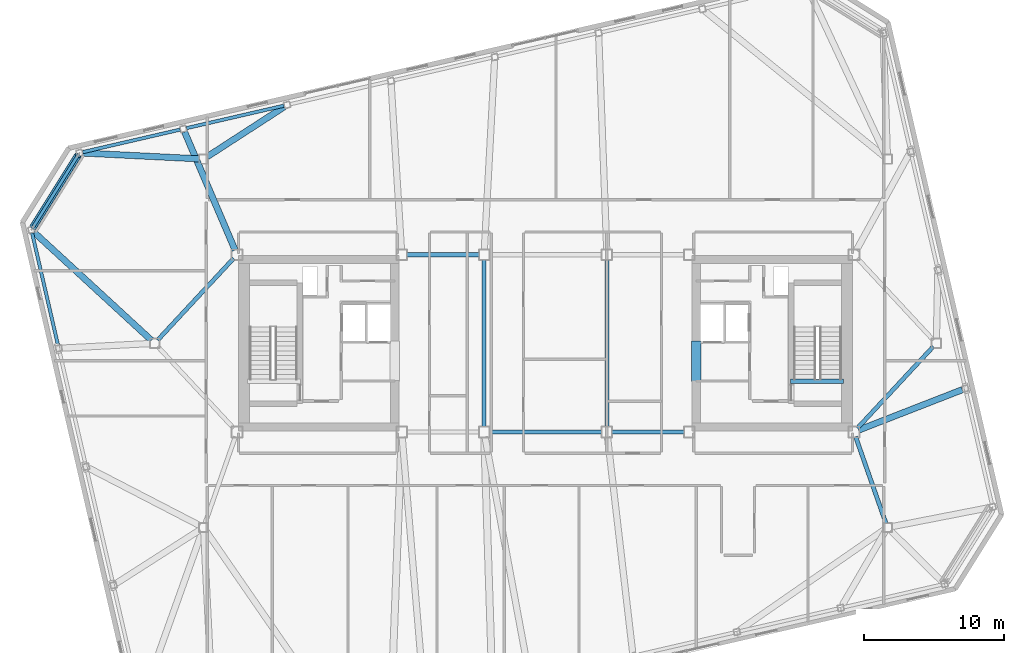
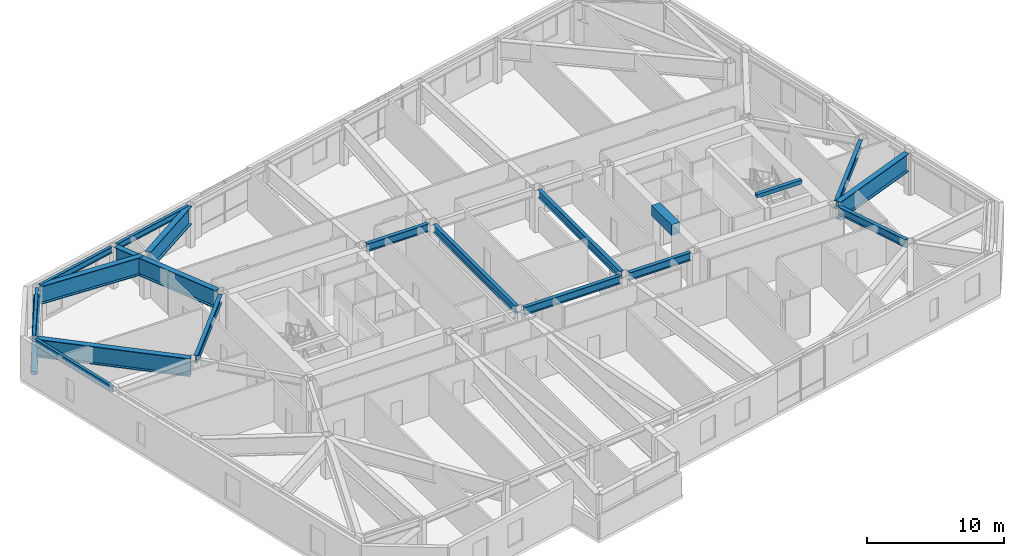
# One storey, part 9 of 21: 19 beams, 1 member.
"""IFC4 building model written with IfcOpenShell, lengths in metres."""

from ifc_helpers import new_model, si_unit, direction, frame, origin, origin_2d, place, context, subcontext, project, spatial, rectangle, hollow_circle, i_section, extrude, material, material_profile, profile_set, type_object, element, save


model = new_model("IFC4")

# Units and contexts
model_context = context("Model", 3, precision=1e-05, world=origin(), true_north=direction((0.0, 1.0)))
body_context = subcontext(model_context, "Body", "Model", "MODEL_VIEW")
ifc_project = project(units=[si_unit("LENGTHUNIT", "METRE"), si_unit("AREAUNIT", "SQUARE_METRE"), si_unit("VOLUMEUNIT", "CUBIC_METRE"), si_unit("PLANEANGLEUNIT", "RADIAN"), si_unit("MASSUNIT", "GRAM", prefix="KILO")], contexts=[model_context])

# Site, building, storey
site_placement = place(None, origin())
site = spatial("IfcSite", under=ifc_project, at=site_placement, CompositionType="ELEMENT")
building_placement = place(site_placement, origin())
building = spatial("IfcBuilding", under=site, at=building_placement, Name="Tavrogorsk Clinical Tower", CompositionType="ELEMENT")
storey_placement = place(building_placement, frame((0.0, 0.0, 281.0)))
storey = spatial("IfcBuildingStorey", under=building, at=storey_placement, Name="L65", CompositionType="ELEMENT", Elevation=281.0)

# Beam
ifc_material_1 = material(Name="Concrete B80", Category="concrete")
ifc_material_profile_1 = material_profile(ifc_material_1, rectangle(XDim=0.699951171875, YDim=0.949951171875, at=origin_2d()), Name="RC-CB-700x950")
ifc_profile_set_1 = profile_set([ifc_material_profile_1], Name="Concrete B80")
beam_type_1 = type_object("IfcBeamType", Name="CouplingBeam_RC700x950", PredefinedType="LINTEL", material=ifc_profile_set_1)
beam_1_placement = place(storey_placement, frame((10.800048828125, -2.75, 3.264892578125), z_axis=(0.0, 1.0, 0.0), x_axis=(-1.0, 0.0, 0.0)))
element("IfcBeam", 1, at=beam_1_placement, inside=storey, type_object=beam_type_1, Name="L65 Core East Coupling Beam", PredefinedType="LINTEL", context=body_context, shape_type="SweptSolid", body=[
    extrude(rectangle(XDim=0.699951171875, YDim=0.949951171875, at=origin_2d()), origin(), (0.0, 0.0, 1.0), 2.89990234375),
])

# Member
ifc_material_2 = material(Name="Structural steel S440", Category="steel")
ifc_material_profile_2 = material_profile(ifc_material_2, hollow_circle(Radius=0.25390625, WallThickness=0.02001953125, at=origin_2d()), Name="CHS-508x20")
ifc_profile_set_2 = profile_set([ifc_material_profile_2], Name="Structural steel S440")
member_type = type_object("IfcMemberType", Name="ExoBrace_CHS508", PredefinedType="BRACE", material=ifc_profile_set_2)
member_placement = place(storey_placement, frame((-36.72265625, 8.30908203125, 0.393310546875), z_axis=(0.485643868835, 0.777221605895, 0.400095748531), x_axis=(-0.848056967697, 0.529905066536, 0.0)))
element("IfcMember", 2, at=member_placement, inside=storey, type_object=member_type, Name="L65 Corner Exoskeleton Brace N8-W1", PredefinedType="BRACE", context=body_context, shape_type="SweptSolid", body=[
    extrude(hollow_circle(Radius=0.25390625, WallThickness=0.02001953125, at=origin_2d()), origin(), (0.0, 0.0, 1.0), 6.63232421875),
])

# Beams
ifc_material_3 = material(Name="Structural steel S390", Category="steel")
ifc_material_profile_3 = material_profile(ifc_material_3, i_section(OverallWidth=0.300048828125, OverallDepth=0.699951171875, WebThickness=0.01708984375, FlangeThickness=0.028076171875, at=origin_2d()), Name="B-700x300x17x28")
ifc_profile_set_3 = profile_set([ifc_material_profile_3], Name="Structural steel S390")
beam_type_2 = type_object("IfcBeamType", Name="PrimaryGirder_B700", PredefinedType="USERDEFINED", material=ifc_profile_set_3)
beam_2_placement = place(storey_placement, frame((-9.93994140625, 6.35009765625, 3.389892578125), z_axis=(1.0, 0.0, 0.0), x_axis=(0.0, 1.0, 0.0)))
element("IfcBeam", 3, at=beam_2_placement, inside=storey, type_object=beam_type_2, Name="L65 Primary Spine Girder MG-02", ObjectType="GIRDER", PredefinedType="USERDEFINED", context=body_context, shape_type="SweptSolid", body=[
    extrude(i_section(OverallWidth=0.300048828125, OverallDepth=0.699951171875, WebThickness=0.01708984375, FlangeThickness=0.028076171875, at=origin_2d()), origin(), (0.0, 0.0, 1.0), 5.179931640625),
])
beam_3_placement = place(storey_placement, frame((-4.0400390625, -6.35009765625, 3.389892578125), z_axis=(1.0, 0.0, 0.0), x_axis=(0.0, 1.0, 0.0)))
element("IfcBeam", 4, at=beam_3_placement, inside=storey, type_object=beam_type_2, Name="L65 Primary Spine Girder MG-03", ObjectType="GIRDER", PredefinedType="USERDEFINED", context=body_context, shape_type="SweptSolid", body=[
    extrude(i_section(OverallWidth=0.300048828125, OverallDepth=0.699951171875, WebThickness=0.01708984375, FlangeThickness=0.028076171875, at=origin_2d()), origin(), (0.0, 0.0, 1.0), 8.080078125),
])
beam_4_placement = place(storey_placement, frame((4.760009765625, -6.35009765625, 3.389892578125), z_axis=(1.0, 0.0, 0.0), x_axis=(0.0, 1.0, 0.0)))
element("IfcBeam", 5, at=beam_4_placement, inside=storey, type_object=beam_type_2, Name="L65 Primary Spine Girder MG-05", ObjectType="GIRDER", PredefinedType="USERDEFINED", context=body_context, shape_type="SweptSolid", body=[
    extrude(i_section(OverallWidth=0.300048828125, OverallDepth=0.699951171875, WebThickness=0.01708984375, FlangeThickness=0.028076171875, at=origin_2d()), origin(), (0.0, 0.0, 1.0), 5.179931640625),
])
for number, where, z_axis, x_axis, name in (
    (6, (-4.39990234375, -5.989990234375, 3.389892578125), (0.0, 1.0, 0.0), (-1.0, 0.0, 0.0), "L65 Primary Spine Girder MG-07"),
    (7, (4.39990234375, -5.989990234375, 3.389892578125), (0.0, 1.0, 0.0), (-1.0, 0.0, 0.0), "L65 Primary Spine Girder MG-08"),
):
    element("IfcBeam", number, at=place(storey_placement, frame(where, z_axis=z_axis, x_axis=x_axis)), inside=storey, type_object=beam_type_2, Name=name, ObjectType="GIRDER", PredefinedType="USERDEFINED", context=body_context, shape_type="SweptSolid", body=[
        extrude(i_section(OverallWidth=0.300048828125, OverallDepth=0.699951171875, WebThickness=0.01708984375, FlangeThickness=0.028076171875, at=origin_2d()), origin(), (0.0, 0.0, 1.0), 11.97998046875),
    ])
beam_5_placement = place(storey_placement, frame((24.3974609375, -12.907470703125, 3.389892578125), z_axis=(-0.330654121425, 0.943752007672, 0.0), x_axis=(-0.943752007672, -0.330654121425, 0.0)))
element("IfcBeam", 8, at=beam_5_placement, inside=storey, type_object=beam_type_2, Name="L65 Spine Link Girder OPG-2", ObjectType="GIRDER", PredefinedType="USERDEFINED", context=body_context, shape_type="SweptSolid", body=[
    extrude(i_section(OverallWidth=0.300048828125, OverallDepth=0.699951171875, WebThickness=0.01708984375, FlangeThickness=0.028076171875, at=origin_2d()), origin(), (0.0, 0.0, 1.0), 6.58837890625),
])
for number, where, z_axis, x_axis, name in (
    (9, (-27.7890625, 0.22705078125, 3.389892578125), (0.680684060959, 0.732577101168, 0.0), (-0.732577101168, 0.680684060959, 0.0), "L65 Spine Link Girder OPG-6"),
    (10, (27.7890625, -0.22705078125, 3.389892578125), (-0.680684060959, -0.732577101168, 0.0), (0.732577101168, -0.680684060959, 0.0), "L65 Spine Link Girder OPG-7"),
):
    element("IfcBeam", number, at=place(storey_placement, frame(where, z_axis=z_axis, x_axis=x_axis)), inside=storey, type_object=beam_type_2, Name=name, ObjectType="GIRDER", PredefinedType="USERDEFINED", context=body_context, shape_type="SweptSolid", body=[
        extrude(i_section(OverallWidth=0.300048828125, OverallDepth=0.699951171875, WebThickness=0.01708984375, FlangeThickness=0.028076171875, at=origin_2d()), origin(), (0.0, 0.0, 1.0), 7.998046875),
    ])
ifc_material_4 = material(Name="Structural steel S390", Category="steel")
ifc_material_profile_4 = material_profile(ifc_material_4, i_section(OverallWidth=0.239990234375, OverallDepth=0.550048828125, WebThickness=0.013916015625, FlangeThickness=0.02197265625, at=origin_2d()), Name="B-550x240x14x22")
ifc_profile_set_4 = profile_set([ifc_material_profile_4], Name="Structural steel S390")
beam_type_3 = type_object("IfcBeamType", Name="SpandrelBeam_B550", PredefinedType="SPANDREL", material=ifc_profile_set_4)
beam_6_placement = place(storey_placement, frame((-18.73828125, 17.027099609375, 3.465087890625), z_axis=(-0.97437684326, -0.224921691527, 0.0), x_axis=(0.224921691527, -0.97437684326, 0.0)))
element("IfcBeam", 11, at=beam_6_placement, inside=storey, type_object=beam_type_3, Name="L65 Perimeter Spandrel N6-N7", PredefinedType="SPANDREL", context=body_context, shape_type="SweptSolid", body=[
    extrude(i_section(OverallWidth=0.239990234375, OverallDepth=0.550048828125, WebThickness=0.013916015625, FlangeThickness=0.02197265625, at=origin_2d()), origin(), (0.0, 0.0, 1.0), 7.168212890625),
])
beam_7_placement = place(storey_placement, frame((-26.177001953125, 15.309814453125, 3.465087890625), z_axis=(-0.974369378592, -0.224954026551, 0.0), x_axis=(0.224954026551, -0.974369378592, 0.0)))
element("IfcBeam", 12, at=beam_7_placement, inside=storey, type_object=beam_type_3, Name="L65 Perimeter Spandrel N7-N8", PredefinedType="SPANDREL", context=body_context, shape_type="SweptSolid", body=[
    extrude(i_section(OverallWidth=0.239990234375, OverallDepth=0.550048828125, WebThickness=0.013916015625, FlangeThickness=0.02197265625, at=origin_2d()), origin(), (0.0, 0.0, 1.0), 7.16845703125),
])
beam_8_placement = place(storey_placement, frame((-33.511962890625, 13.447265625, 3.465087890625), z_axis=(-0.529933531413, -0.848039180866, 0.0), x_axis=(0.848039180866, -0.529933531413, 0.0)))
element("IfcBeam", 13, at=beam_8_placement, inside=storey, type_object=beam_type_3, Name="L65 Perimeter Spandrel N8-W1", PredefinedType="SPANDREL", context=body_context, shape_type="SweptSolid", body=[
    extrude(i_section(OverallWidth=0.239990234375, OverallDepth=0.550048828125, WebThickness=0.013916015625, FlangeThickness=0.02197265625, at=origin_2d()), origin(), (0.0, 0.0, 1.0), 6.039306640625),
])
beam_9_placement = place(storey_placement, frame((-36.783447265625, 7.901123046875, 3.465087890625), z_axis=(0.224950345141, -0.974370228517, 0.0), x_axis=(0.974370228517, 0.224950345141, 0.0)))
element("IfcBeam", 14, at=beam_9_placement, inside=storey, type_object=beam_type_3, Name="L65 Perimeter Spandrel W1-W2", PredefinedType="SPANDREL", context=body_context, shape_type="SweptSolid", body=[
    extrude(i_section(OverallWidth=0.239990234375, OverallDepth=0.550048828125, WebThickness=0.013916015625, FlangeThickness=0.02197265625, at=origin_2d()), origin(), (0.0, 0.0, 1.0), 8.243896484375),
])
ifc_material_5 = material(Name="Concrete B60", Category="concrete")
ifc_material_profile_5 = material_profile(ifc_material_5, rectangle(XDim=0.300048828125, YDim=0.35009765625, at=origin_2d()), Name="RC-SHB-300x350")
ifc_profile_set_5 = profile_set([ifc_material_profile_5], Name="Concrete B60")
beam_type_4 = type_object("IfcBeamType", Name="StairHeaderBeam_RC300x350", PredefinedType="BEAM", material=ifc_profile_set_5)
beam_10_placement = place(storey_placement, frame((17.550048828125, -2.719970703125, 3.824951171875), z_axis=(1.0, 0.0, 0.0), x_axis=(0.0, 1.0, 0.0)))
element("IfcBeam", 15, at=beam_10_placement, inside=storey, type_object=beam_type_4, Name="L66 ST-E Landing Header Beam", PredefinedType="BEAM", context=body_context, shape_type="SweptSolid", body=[
    extrude(rectangle(XDim=0.300048828125, YDim=0.35009765625, at=origin_2d()), origin(), (0.0, 0.0, 1.0), 3.800048828125),
])
ifc_material_6 = material(Name="Structural steel S440", Category="steel")
ifc_material_profile_6 = material_profile(ifc_material_6, i_section(OverallWidth=0.449951171875, OverallDepth=1.60009765625, WebThickness=0.031982421875, FlangeThickness=0.050048828125, at=origin_2d()), Name="DK-1600x450x32x50")
ifc_profile_set_6 = profile_set([ifc_material_profile_6], Name="Structural steel S440")
beam_type_5 = type_object("IfcBeamType", Name="TransferGirder_DK1600", PredefinedType="USERDEFINED", material=ifc_profile_set_6)
beam_11_placement = place(storey_placement, frame((-24.23974609375, 13.36865234375, 2.93994140625), z_axis=(0.839287867478, 0.543687295699, 0.0), x_axis=(-0.543687295699, 0.839287867478, 0.0)))
element("IfcBeam", 16, at=beam_11_placement, inside=storey, type_object=beam_type_5, Name="L65 Radial Floor Beam N6", ObjectType="GIRDER", PredefinedType="USERDEFINED", context=body_context, shape_type="SweptSolid", body=[
    extrude(i_section(OverallWidth=0.449951171875, OverallDepth=1.60009765625, WebThickness=0.031982421875, FlangeThickness=0.050048828125, at=origin_2d()), origin(), (0.0, 0.0, 1.0), 6.592529296875),
])
beam_12_placement = place(storey_placement, frame((-22.241455078125, 6.68115234375, 2.93994140625), z_axis=(-0.392846927495, 0.919603877524, 0.0), x_axis=(-0.919603877524, -0.392846927495, 0.0)))
element("IfcBeam", 17, at=beam_12_placement, inside=storey, type_object=beam_type_5, Name="L65 Radial Floor Beam N7", ObjectType="GIRDER", PredefinedType="USERDEFINED", context=body_context, shape_type="SweptSolid", body=[
    extrude(i_section(OverallWidth=0.449951171875, OverallDepth=1.60009765625, WebThickness=0.031982421875, FlangeThickness=0.050048828125, at=origin_2d()), origin(), (0.0, 0.0, 1.0), 9.20703125),
])
beam_13_placement = place(storey_placement, frame((-24.8095703125, 13.215576171875, 2.93994140625), z_axis=(-0.998749933549, 0.049985700304, 0.0), x_axis=(-0.049985700304, -0.998749933549, 0.0)))
element("IfcBeam", 18, at=beam_13_placement, inside=storey, type_object=beam_type_5, Name="L65 Radial Floor Beam N8", ObjectType="GIRDER", PredefinedType="USERDEFINED", context=body_context, shape_type="SweptSolid", body=[
    extrude(i_section(OverallWidth=0.449951171875, OverallDepth=1.60009765625, WebThickness=0.031982421875, FlangeThickness=0.050048828125, at=origin_2d()), origin(), (0.0, 0.0, 1.0), 8.35693359375),
])
beam_14_placement = place(storey_placement, frame((22.435546875, -6.21923828125, 2.93994140625), z_axis=(0.931742794521, 0.363118940375, 0.0), x_axis=(-0.363118940375, 0.931742794521, 0.0)))
element("IfcBeam", 19, at=beam_14_placement, inside=storey, type_object=beam_type_5, Name="L65 Radial Floor Beam E2", ObjectType="GIRDER", PredefinedType="USERDEFINED", context=body_context, shape_type="SweptSolid", body=[
    extrude(i_section(OverallWidth=0.449951171875, OverallDepth=1.60009765625, WebThickness=0.031982421875, FlangeThickness=0.050048828125, at=origin_2d()), origin(), (0.0, 0.0, 1.0), 7.968017578125),
])
beam_15_placement = place(storey_placement, frame((-28.228271484375, 0.2099609375, 2.93994140625), z_axis=(-0.735959452605, 0.677025615557, 0.0), x_axis=(-0.677025615557, -0.735959452605, 0.0)))
element("IfcBeam", 20, at=beam_15_placement, inside=storey, type_object=beam_type_5, Name="L65 Radial Floor Beam W1", ObjectType="GIRDER", PredefinedType="USERDEFINED", context=body_context, shape_type="SweptSolid", body=[
    extrude(i_section(OverallWidth=0.449951171875, OverallDepth=1.60009765625, WebThickness=0.031982421875, FlangeThickness=0.050048828125, at=origin_2d()), origin(), (0.0, 0.0, 1.0), 11.462646484375),
])

save(model, "model.ifc")
